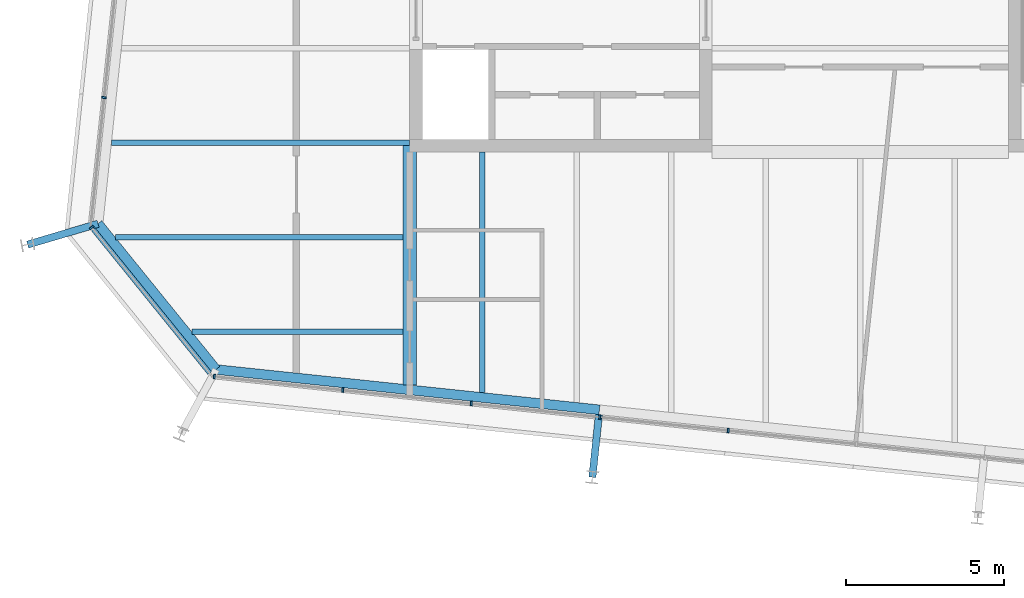
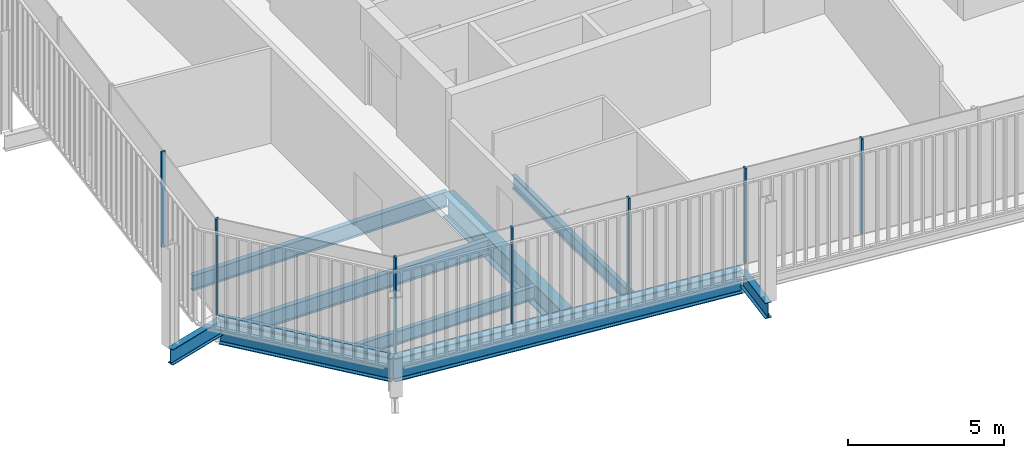
# One storey, part 3 of 20: 9 beams, 8 members, 3 elements without a shape of their own.
"""IFC4 building model written with IfcOpenShell, lengths in metres."""

from ifc_helpers import new_model, si_unit, direction, frame, origin, origin_2d, place, context, subcontext, project, spatial, rectangle, i_section, extrude, material, layer, layer_set, material_profile, profile_set, type_object, element, aggregate, save


model = new_model("IFC4")

# Units and contexts
model_context = context("Model", 3, precision=1e-05, world=origin(), true_north=direction((0.0, 1.0)))
body_context = subcontext(model_context, "Body", "Model", "MODEL_VIEW")
ifc_project = project(units=[si_unit("LENGTHUNIT", "METRE"), si_unit("AREAUNIT", "SQUARE_METRE"), si_unit("VOLUMEUNIT", "CUBIC_METRE"), si_unit("PLANEANGLEUNIT", "RADIAN"), si_unit("MASSUNIT", "GRAM", prefix="KILO")], contexts=[model_context])

# Site, building, storey
site_placement = place(None, origin())
site = spatial("IfcSite", under=ifc_project, at=site_placement, CompositionType="ELEMENT")
building_placement = place(site_placement, origin())
building = spatial("IfcBuilding", under=site, at=building_placement, Name="Millrace Tower", CompositionType="ELEMENT")
storey_placement = place(building_placement, frame((0.0, 0.0, 322.60009765625)))
storey = spatial("IfcBuildingStorey", under=building, at=storey_placement, Name="L74", CompositionType="ELEMENT", Elevation=322.60009765625)

# Curtain wall, member
ifc_material_1 = material(Name="Aluminium and glass", Category="aluminium")
ifc_layer = layer(ifc_material_1, 0.14990234375)
ifc_layer_set = layer_set([ifc_layer], Name="Aluminium and glass")
curtain_wall_type = type_object("IfcCurtainWallType", Name="CW-1 office vision curtain wall", PredefinedType="NOTDEFINED", material=ifc_layer_set)
placement = place(storey_placement, origin())
curtain_wall_1 = element("IfcCurtainWall", 1, at=placement, inside=storey, type_object=curtain_wall_type, Name="Curtain wall E-F01 L74", PredefinedType="NOTDEFINED")
ifc_material_2 = material(Name="Aluminium", Category="aluminium")
ifc_material_profile_1 = material_profile(ifc_material_2, rectangle(XDim=0.06494140625, YDim=0.14990234375, at=origin_2d()))
ifc_profile_set_1 = profile_set([ifc_material_profile_1], Name="Aluminium")
member_type_1 = type_object("IfcMemberType", Name="CW-1 office vision curtain wall mullion", PredefinedType="MULLION", material=ifc_profile_set_1)
member_1_placement = place(storey_placement, frame((-24.391845703125, -11.693359375, 0.139892578125), z_axis=(0.0, 0.0, 1.0), x_axis=(0.629320278945, -0.777146052237, 0.0)))
member_1 = element("IfcMember", 2, at=member_1_placement, type_object=member_type_1, Name="CW1 mullion E-F01.1", PredefinedType="MULLION", context=body_context, shape_type="SweptSolid", body=[
    extrude(rectangle(XDim=0.06494140625, YDim=0.14990234375, at=origin_2d()), origin(), (0.0, 0.0, 1.0), 3.760009765625),
])

# Curtain wall, members
curtain_wall_2 = element("IfcCurtainWall", 3, at=placement, inside=storey, type_object=curtain_wall_type, Name="Curtain wall E-F02 L74", PredefinedType="NOTDEFINED")
member_2_placement = place(storey_placement, frame((-20.50244140625, -16.4248046875, 0.139892578125), z_axis=(0.0, 0.0, 1.0), x_axis=(0.994521896217, -0.104528455196, 0.0)))
member_2 = element("IfcMember", 4, at=member_2_placement, type_object=member_type_1, Name="CW1 mullion E-F02.1", PredefinedType="MULLION", context=body_context, shape_type="SweptSolid", body=[
    extrude(rectangle(XDim=0.06494140625, YDim=0.14990234375, at=origin_2d()), origin(), (0.0, 0.0, 1.0), 3.760009765625),
])
member_3_placement = place(storey_placement, frame((-16.425048828125, -16.853271484375, 0.139892578125), z_axis=(0.0, 0.0, 1.0), x_axis=(0.994521896217, -0.104528455196, 0.0)))
member_3 = element("IfcMember", 5, at=member_3_placement, type_object=member_type_1, Name="CW1 mullion E-F02.2", PredefinedType="MULLION", context=body_context, shape_type="SweptSolid", body=[
    extrude(rectangle(XDim=0.06494140625, YDim=0.14990234375, at=origin_2d()), origin(), (0.0, 0.0, 1.0), 3.760009765625),
])
member_4_placement = place(storey_placement, frame((-12.347412109375, -17.281982421875, 0.139892578125), z_axis=(0.0, 0.0, 1.0), x_axis=(0.994521896217, -0.104528455196, 0.0)))
member_4 = element("IfcMember", 6, at=member_4_placement, type_object=member_type_1, Name="CW1 mullion E-F02.3", PredefinedType="MULLION", context=body_context, shape_type="SweptSolid", body=[
    extrude(rectangle(XDim=0.06494140625, YDim=0.14990234375, at=origin_2d()), origin(), (0.0, 0.0, 1.0), 3.760009765625),
])
member_5_placement = place(storey_placement, frame((-8.269775390625, -17.71044921875, 0.139892578125), z_axis=(0.0, 0.0, 1.0), x_axis=(0.994521896217, -0.104528455196, 0.0)))
member_5 = element("IfcMember", 7, at=member_5_placement, type_object=member_type_1, Name="CW1 mullion E-F02.4", PredefinedType="MULLION", context=body_context, shape_type="SweptSolid", body=[
    extrude(rectangle(XDim=0.06494140625, YDim=0.14990234375, at=origin_2d()), origin(), (0.0, 0.0, 1.0), 3.760009765625),
])
member_6_placement = place(storey_placement, frame((-4.1923828125, -18.13916015625, 0.139892578125), z_axis=(0.0, 0.0, 1.0), x_axis=(0.994521896217, -0.104528455196, 0.0)))
member_6 = element("IfcMember", 8, at=member_6_placement, type_object=member_type_1, Name="CW1 mullion E-F02.5", PredefinedType="MULLION", context=body_context, shape_type="SweptSolid", body=[
    extrude(rectangle(XDim=0.06494140625, YDim=0.14990234375, at=origin_2d()), origin(), (0.0, 0.0, 1.0), 3.760009765625),
])
aggregate(curtain_wall_2, [member_2, member_3, member_4, member_5, member_6])

# Curtain wall, member
curtain_wall_3 = element("IfcCurtainWall", 9, at=placement, inside=storey, type_object=curtain_wall_type, Name="Curtain wall E-F08 L74", PredefinedType="NOTDEFINED")
member_7_placement = place(storey_placement, frame((-24.00341796875, -7.56787109375, 0.139892578125), z_axis=(0.0, 0.0, 1.0), x_axis=(-0.104528455196, -0.994521896217, 0.0)))
member_7 = element("IfcMember", 10, at=member_7_placement, type_object=member_type_1, Name="CW1 mullion E-F08.9", PredefinedType="MULLION", context=body_context, shape_type="SweptSolid", body=[
    extrude(rectangle(XDim=0.06494140625, YDim=0.14990234375, at=origin_2d()), origin(), (0.0, 0.0, 1.0), 3.760009765625),
])
aggregate(curtain_wall_3, [member_7])

# Member
ifc_material_3 = material(Name="Aluminium", Category="aluminium")
ifc_material_profile_2 = material_profile(ifc_material_3, rectangle(XDim=0.14990234375, YDim=0.139892578125, at=origin_2d()))
ifc_profile_set_2 = profile_set([ifc_material_profile_2], Name="Aluminium")
member_type_2 = type_object("IfcMemberType", Name="CW-1 office vision curtain wall transom", PredefinedType="USERDEFINED", material=ifc_profile_set_2)
member_8_placement = place(storey_placement, frame((-24.349365234375, -11.745849609375, 0.06982421875), z_axis=(0.629321221277, -0.777145289151, 0.0), x_axis=(0.777145289151, 0.629321221277, 0.0)))
member_8 = element("IfcMember", 11, at=member_8_placement, type_object=member_type_2, Name="CW1 transom E-F01.1", ObjectType="TRANSOM", PredefinedType="USERDEFINED", context=body_context, shape_type="SweptSolid", body=[
    extrude(rectangle(XDim=0.14990234375, YDim=0.139892578125, at=origin_2d()), origin(), (0.0, 0.0, 1.0), 5.881103515625),
])

aggregate(curtain_wall_1, [member_1, member_8])

# Beams
ifc_material_4 = material(Name="Steel ASTM A992 Grade 50", Category="steel")
ifc_material_profile_3 = material_profile(ifc_material_4, i_section(OverallWidth=0.1650390625, OverallDepth=0.52587890625, WebThickness=0.0087890625, FlangeThickness=0.011474609375, FilletRadius=0.0126953125, at=origin_2d()))
ifc_profile_set_3 = profile_set([ifc_material_profile_3], Name="Steel ASTM A992 Grade 50")
beam_type_1 = type_object("IfcBeamType", Name="Floor beam W21x44", PredefinedType="JOIST", material=ifc_profile_set_3)
beam_1_placement = place(storey_placement, frame((-12.0, -16.93408203125, -0.423095703125), z_axis=(0.0, 1.0, 0.0), x_axis=(-1.0, 0.0, 0.0)))
element("IfcBeam", 12, at=beam_1_placement, inside=storey, type_object=beam_type_1, Name="BM-E-L74-S1-S037", PredefinedType="JOIST", context=body_context, shape_type="SweptSolid", body=[
    extrude(i_section(OverallWidth=0.1650390625, OverallDepth=0.52587890625, WebThickness=0.0087890625, FlangeThickness=0.011474609375, FilletRadius=0.0126953125, at=origin_2d()), origin(), (0.0, 0.0, 1.0), 7.634033203125),
])
beam_2_placement = place(storey_placement, frame((-21.214111328125, -15.0, -0.423095703125), z_axis=(1.0, 0.0, 0.0), x_axis=(0.0, 1.0, 0.0)))
element("IfcBeam", 13, at=beam_2_placement, inside=storey, type_object=beam_type_1, Name="BM-E-L74-S1-S002", PredefinedType="JOIST", context=body_context, shape_type="SweptSolid", body=[
    extrude(i_section(OverallWidth=0.1650390625, OverallDepth=0.52587890625, WebThickness=0.0087890625, FlangeThickness=0.011474609375, FilletRadius=0.0126953125, at=origin_2d()), origin(), (0.0, 0.0, 1.0), 6.70458984375),
])
ifc_material_5 = material(Name="Steel ASTM A992 Grade 50", Category="steel")
ifc_material_profile_4 = material_profile(ifc_material_5, i_section(OverallWidth=0.177978515625, OverallDepth=0.599365234375, WebThickness=0.010009765625, FlangeThickness=0.012939453125, FilletRadius=0.012939453125, at=origin_2d()))
ifc_profile_set_4 = profile_set([ifc_material_profile_4], Name="Steel ASTM A992 Grade 50")
beam_type_2 = type_object("IfcBeamType", Name="Floor beam W24x55", PredefinedType="JOIST", material=ifc_profile_set_4)
beam_3_placement = place(storey_placement, frame((-23.76953125, -9.0, -0.459716796875), z_axis=(1.0, 0.0, 0.0), x_axis=(0.0, 1.0, 0.0)))
element("IfcBeam", 14, at=beam_3_placement, inside=storey, type_object=beam_type_2, Name="BM-E-L74-S1-S006", PredefinedType="JOIST", context=body_context, shape_type="SweptSolid", body=[
    extrude(i_section(OverallWidth=0.177978515625, OverallDepth=0.599365234375, WebThickness=0.010009765625, FlangeThickness=0.012939453125, FilletRadius=0.012939453125, at=origin_2d()), origin(), (0.0, 0.0, 1.0), 9.469482421875),
])
beam_4_placement = place(storey_placement, frame((-23.635498046875, -12.0, -0.459716796875), z_axis=(1.0, 0.0, 0.0), x_axis=(0.0, 1.0, 0.0)))
element("IfcBeam", 15, at=beam_4_placement, inside=storey, type_object=beam_type_2, Name="BM-E-L74-S1-S004", PredefinedType="JOIST", context=body_context, shape_type="SweptSolid", body=[
    extrude(i_section(OverallWidth=0.177978515625, OverallDepth=0.599365234375, WebThickness=0.010009765625, FlangeThickness=0.012939453125, FilletRadius=0.012939453125, at=origin_2d()), origin(), (0.0, 0.0, 1.0), 9.1259765625),
])
ifc_material_6 = material(Name="Steel ASTM A992 Grade 50", Category="steel")
ifc_material_profile_5 = material_profile(ifc_material_6, i_section(OverallWidth=0.419189453125, OverallDepth=0.927001953125, WebThickness=0.019287109375, FlangeThickness=0.031982421875, FilletRadius=0.024169921875, at=origin_2d()))
ifc_profile_set_5 = profile_set([ifc_material_profile_5], Name="Steel ASTM A992 Grade 50")
beam_type_3 = type_object("IfcBeamType", Name="Girder short span W36x231", PredefinedType="BEAM", material=ifc_profile_set_5)
beam_5_placement = place(storey_placement, frame((-14.300048828125, -16.6923828125, -0.62353515625), z_axis=(0.0, 1.0, 0.0), x_axis=(-1.0, 0.0, 0.0)))
element("IfcBeam", 16, at=beam_5_placement, inside=storey, type_object=beam_type_3, Name="BM-E-L74-S1-G055", PredefinedType="BEAM", context=body_context, shape_type="SweptSolid", body=[
    extrude(i_section(OverallWidth=0.419189453125, OverallDepth=0.927001953125, WebThickness=0.019287109375, FlangeThickness=0.031982421875, FilletRadius=0.024169921875, at=origin_2d()), origin(), (0.0, 0.0, 1.0), 7.600341796875),
])
ifc_material_7 = material(Name="Steel ASTM A992 Grade 50", Category="steel")
ifc_material_profile_6 = material_profile(ifc_material_7, i_section(OverallWidth=0.23046875, OverallDepth=0.6171875, WebThickness=0.01318359375, FlangeThickness=0.022216796875, FilletRadius=0.012939453125, at=origin_2d()))
ifc_profile_set_6 = profile_set([ifc_material_profile_6], Name="Steel ASTM A992 Grade 50")
beam_type_4 = type_object("IfcBeamType", Name="Link beam W24x94", PredefinedType="BEAM", material=ifc_profile_set_6)
beam_6_placement = place(storey_placement, frame((-24.1943359375, -11.57373046875, -0.46875), z_axis=(-0.958815015936, -0.284031275065, 0.0), x_axis=(0.284031275065, -0.958815015936, 0.0)))
element("IfcBeam", 17, at=beam_6_placement, inside=storey, type_object=beam_type_4, Name="LNK-E-L74-S1-01", PredefinedType="BEAM", context=body_context, shape_type="SweptSolid", body=[
    extrude(i_section(OverallWidth=0.23046875, OverallDepth=0.6171875, WebThickness=0.01318359375, FlangeThickness=0.022216796875, FilletRadius=0.012939453125, at=origin_2d()), origin(), (0.0, 0.0, 1.0), 2.3310546875),
])
beam_7_placement = place(storey_placement, frame((-8.29443359375, -17.632568359375, -0.46875), z_axis=(-0.104494148666, -0.99452550138, 0.0), x_axis=(0.99452550138, -0.104494148666, 0.0)))
element("IfcBeam", 18, at=beam_7_placement, inside=storey, type_object=beam_type_4, Name="LNK-E-L74-S1-15", PredefinedType="BEAM", context=body_context, shape_type="SweptSolid", body=[
    extrude(i_section(OverallWidth=0.23046875, OverallDepth=0.6171875, WebThickness=0.01318359375, FlangeThickness=0.022216796875, FilletRadius=0.012939453125, at=origin_2d()), origin(), (0.0, 0.0, 1.0), 2.0),
])
ifc_material_8 = material(Name="Steel ASTM A992 Grade 50", Category="steel")
ifc_material_profile_7 = material_profile(ifc_material_8, i_section(OverallWidth=0.307373046875, OverallDepth=0.927001953125, WebThickness=0.01953125, FlangeThickness=0.031982421875, FilletRadius=0.01904296875, at=origin_2d()))
ifc_profile_set_7 = profile_set([ifc_material_profile_7], Name="Steel ASTM A992 Grade 50")
beam_type_5 = type_object("IfcBeamType", Name="Ring beam medium span W36x194", PredefinedType="SPANDREL", material=ifc_profile_set_7)
beam_8_placement = place(storey_placement, frame((-8.2783203125, -17.479736328125, -0.62353515625), z_axis=(-0.994521730693, 0.104530030035, 0.0), x_axis=(-0.104530030035, -0.994521730693, 0.0)))
element("IfcBeam", 19, at=beam_8_placement, inside=storey, type_object=beam_type_5, Name="RNG-E-L74-S1-15", PredefinedType="SPANDREL", context=body_context, shape_type="SweptSolid", body=[
    extrude(i_section(OverallWidth=0.307373046875, OverallDepth=0.927001953125, WebThickness=0.01953125, FlangeThickness=0.031982421875, FilletRadius=0.01904296875, at=origin_2d()), origin(), (0.0, 0.0, 1.0), 12.236328125),
])
ifc_material_9 = material(Name="Steel ASTM A992 Grade 50", Category="steel")
ifc_material_profile_8 = material_profile(ifc_material_9, i_section(OverallWidth=0.307373046875, OverallDepth=0.927001953125, WebThickness=0.01953125, FlangeThickness=0.031982421875, FilletRadius=0.01904296875, at=origin_2d()))
ifc_profile_set_8 = profile_set([ifc_material_profile_8], Name="Steel ASTM A992 Grade 50")
beam_type_6 = type_object("IfcBeamType", Name="Ring beam short span W36x194", PredefinedType="SPANDREL", material=ifc_profile_set_8)
beam_9_placement = place(storey_placement, frame((-20.447509765625, -16.20068359375, -0.62353515625), z_axis=(-0.629319722443, 0.777146502883, 0.0), x_axis=(-0.777146502883, -0.629319722443, 0.0)))
element("IfcBeam", 20, at=beam_9_placement, inside=storey, type_object=beam_type_6, Name="RNG-E-L74-S1-16", PredefinedType="SPANDREL", context=body_context, shape_type="SweptSolid", body=[
    extrude(i_section(OverallWidth=0.307373046875, OverallDepth=0.927001953125, WebThickness=0.01953125, FlangeThickness=0.031982421875, FilletRadius=0.01904296875, at=origin_2d()), origin(), (0.0, 0.0, 1.0), 5.953857421875),
])

save(model, "model.ifc")
